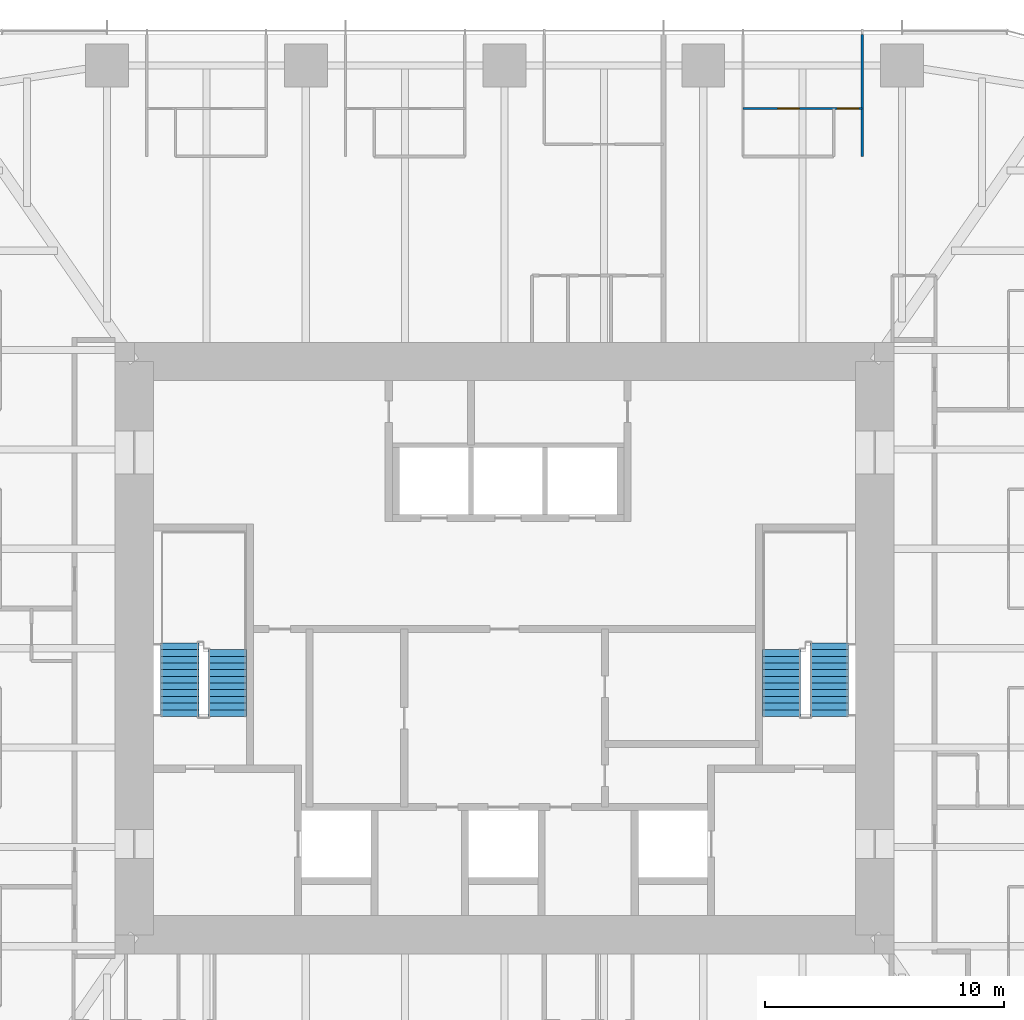
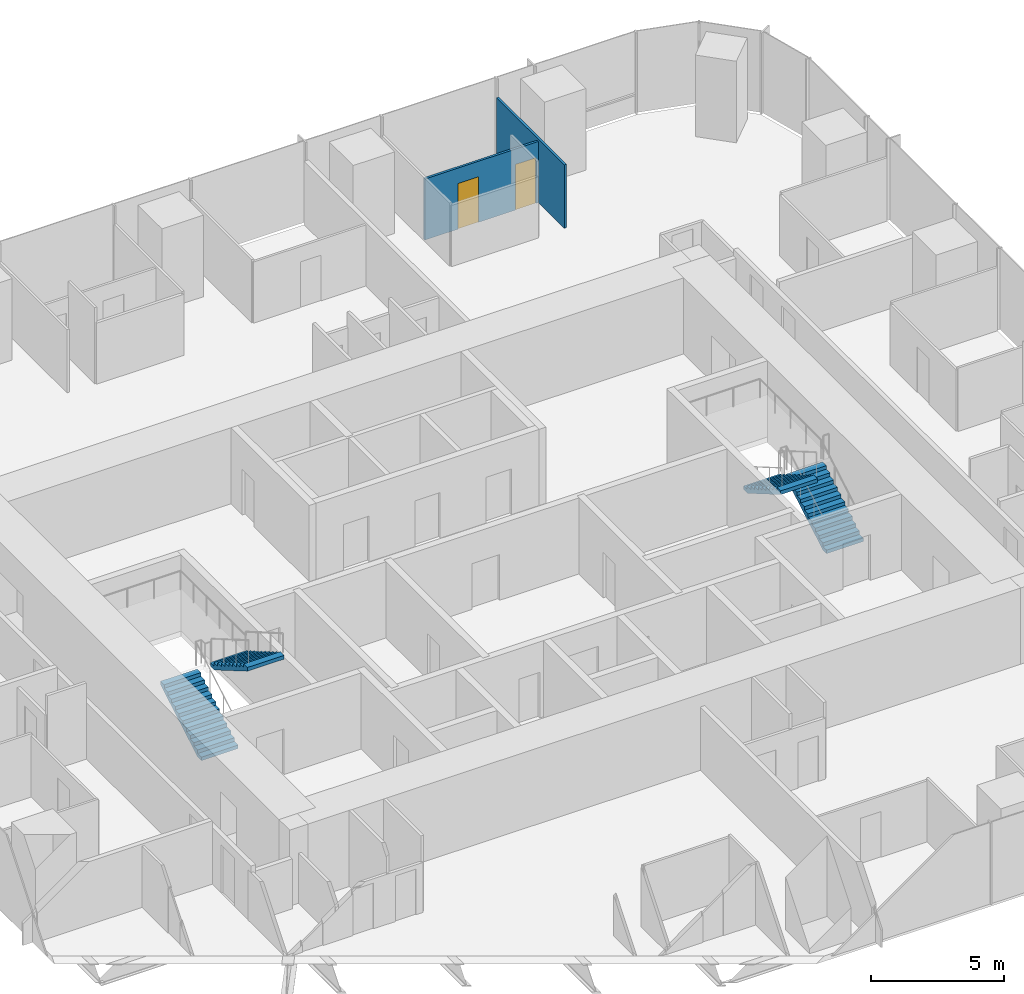
# One storey, part 12 of 13: 4 stair flights, 2 doors, 2 walls, 2 openings, 2 elements without a shape of their own.
"""IFC4 building model written with IfcOpenShell, lengths in metres."""

from ifc_helpers import new_model, si_unit, direction, frame, frame_2d, origin, place, context, subcontext, project, spatial, polyline, rectangle, outline, extrude, material, layer, layer_set, type_object, element, fill, aggregate, save


model = new_model("IFC4")

# Units and contexts
model_context = context("Model", 3, precision=1e-05, world=origin(), true_north=direction((0.0, 1.0)))
body_context = subcontext(model_context, "Body", "Model", "MODEL_VIEW")
ifc_project = project(units=[si_unit("LENGTHUNIT", "METRE"), si_unit("AREAUNIT", "SQUARE_METRE"), si_unit("VOLUMEUNIT", "CUBIC_METRE"), si_unit("PLANEANGLEUNIT", "RADIAN"), si_unit("MASSUNIT", "GRAM", prefix="KILO")], contexts=[model_context])

# Site, building, storey
site_placement = place(None, origin())
site = spatial("IfcSite", under=ifc_project, at=site_placement, CompositionType="ELEMENT")
building_placement = place(site_placement, origin())
building = spatial("IfcBuilding", under=site, at=building_placement, Name="Khuree Lantern Residences", CompositionType="ELEMENT")
storey_placement = place(building_placement, frame((0.0, 0.0, 252.0)))
storey = spatial("IfcBuildingStorey", under=building, at=storey_placement, Name="L63", CompositionType="ELEMENT", Elevation=252.0)

# Wall
ifc_material_1 = material(Name="Gypsum board on steel studs", Category="steel")
ifc_layer = layer(ifc_material_1, 0.10009765625)
ifc_layer_set = layer_set([ifc_layer], Name="PARTITION PT100")
wall_type = type_object("IfcWallType", Name="PARTITION PT100", PredefinedType="PARTITIONING", material=ifc_layer_set)
wall_1_placement = place(storey_placement, frame((14.97607421875, 20.594970703125, 0.0), z_axis=(0.0, 0.0, 1.0), x_axis=(0.0, 1.0, 0.0)))
element("IfcWall", 1, at=wall_1_placement, inside=storey, type_object=wall_type, Name="L63 PARTITION 02", PredefinedType="PARTITIONING", context=body_context, shape_type="SweptSolid", body=[
    extrude(rectangle(XDim=5.10498046875, YDim=0.10009765625, at=frame_2d((2.552490234375, 0.0))), origin(), (0.0, 0.0, 1.0), 2.909912109375),
])

# Wall, openings, doors
wall_2_placement = place(storey_placement, frame((14.97607421875, 22.594970703125, 0.0), z_axis=(0.0, 0.0, 1.0), x_axis=(-1.0, 0.0, 0.0)))
wall_2 = element("IfcWall", 2, at=wall_2_placement, inside=storey, type_object=wall_type, Name="L63 PARTITION 02", PredefinedType="PARTITIONING", context=body_context, shape_type="SweptSolid", body=[
    extrude(rectangle(XDim=4.9921875, YDim=0.10009765625, at=frame_2d((2.49609375, 0.0))), origin(), (0.0, 0.0, 1.0), 2.81005859375),
])
opening_1_placement = place(wall_2_placement, frame((0.14990234375, 0.0, 0.0)))
opening_1 = element("IfcOpeningElement", 3, at=opening_1_placement, cuts=wall_2, Name="Opening 63-027", PredefinedType="OPENING", context=body_context, shape_type="SweptSolid", body=[
    extrude(rectangle(XDim=0.89990234375, YDim=2.10009765625, at=frame_2d((0.449951171875, 1.050048828125))), frame((0.0, 0.06005859375, 0.0), z_axis=(0.0, -1.0, 0.0), x_axis=(1.0, 0.0, 0.0)), (0.0, 0.0, 1.0), 0.1201171875),
])
opening_2_placement = place(wall_2_placement, frame((2.64599609375, 0.0, 0.0)))
opening_2 = element("IfcOpeningElement", 4, at=opening_2_placement, cuts=wall_2, Name="Opening 63-028", PredefinedType="OPENING", context=body_context, shape_type="SweptSolid", body=[
    extrude(rectangle(XDim=0.89990234375, YDim=2.10009765625, at=frame_2d((0.449951171875, 1.050048828125))), frame((0.0, 0.06005859375, 0.0), z_axis=(0.0, -1.0, 0.0), x_axis=(1.0, 0.0, 0.0)), (0.0, 0.0, 1.0), 0.1201171875),
])
ifc_material_2 = material(Name="Timber door leaf in hardwood frame", Category="wood")
door_type_1 = type_object("IfcDoorType", Name="BATHROOM DOOR 900X2100", OperationType="SINGLE_SWING_LEFT", PredefinedType="DOOR", material=ifc_material_2)
door_1_placement = place(opening_2_placement, origin())
door_1 = element("IfcDoor", 5, at=door_1_placement, inside=storey, type_object=door_type_1, Name="Bathroom door 63-028", OperationType="SINGLE_SWING_LEFT", OverallHeight=2.10009765625, OverallWidth=0.89990234375, PredefinedType="DOOR", context=body_context, shape_type="SweptSolid", body=[
    extrude(rectangle(XDim=0.89990234375, YDim=2.10009765625, at=frame_2d((0.449951171875, 1.050048828125))), frame((0.0, 0.02490234375, 0.0), z_axis=(0.0, -1.0, 0.0), x_axis=(1.0, 0.0, 0.0)), (0.0, 0.0, 1.0), 0.050048828125),
])
fill(opening_2, door_1)
door_type_2 = type_object("IfcDoorType", Name="BEDROOM DOOR 900X2100", OperationType="SINGLE_SWING_LEFT", PredefinedType="DOOR", material=ifc_material_2)
door_2_placement = place(opening_1_placement, origin())
door_2 = element("IfcDoor", 6, at=door_2_placement, inside=storey, type_object=door_type_2, Name="Bedroom door 63-027", OperationType="SINGLE_SWING_LEFT", OverallHeight=2.10009765625, OverallWidth=0.89990234375, PredefinedType="DOOR", context=body_context, shape_type="SweptSolid", body=[
    extrude(rectangle(XDim=0.89990234375, YDim=2.10009765625, at=frame_2d((0.449951171875, 1.050048828125))), frame((0.0, 0.02490234375, 0.0), z_axis=(0.0, -1.0, 0.0), x_axis=(1.0, 0.0, 0.0)), (0.0, 0.0, 1.0), 0.050048828125),
])
fill(opening_1, door_2)

# Stair, stair flights
ifc_material_3 = material(Name="Concrete C40/50", Category="concrete")
stair_type = type_object("IfcStairType", Name="STAIR ST1 HALF TURN 3600", PredefinedType="HALF_TURN_STAIR", material=ifc_material_3)
stair_1_placement = place(storey_placement, origin())
stair_1 = element("IfcStair", 7, at=stair_1_placement, inside=storey, type_object=stair_type, Name="Stair ST1", PredefinedType="HALF_TURN_STAIR")
stair_flight_type = type_object("IfcStairFlightType", Name="STAIR FLIGHT SF1 1600", PredefinedType="STRAIGHT", material=ifc_material_3)
stair_flight_1_placement = place(storey_placement, frame((-13.60009765625, -2.860107421875, 0.0), z_axis=(0.0, 0.0, 1.0), x_axis=(0.0, 1.0, 0.0)))
stair_flight_1 = element("IfcStairFlight", 8, at=stair_flight_1_placement, type_object=stair_flight_type, Name="ST1 flight 1", NumberOfRisers=12, NumberOfTreads=11, PredefinedType="STRAIGHT", RiserHeight=0.163043478, TreadLength=0.28, context=body_context, shape_type="SweptSolid", body=[
    extrude(outline(polyline([(0.0, 0.0), (0.0, 0.1630859375), (0.280029296875, 0.1630859375), (0.280029296875, 0.326171875), (0.56005859375, 0.326171875), (0.56005859375, 0.489013671875), (0.840087890625, 0.489013671875), (0.840087890625, 0.652099609375), (1.1201171875, 0.652099609375), (1.1201171875, 0.815185546875), (1.39990234375, 0.815185546875), (1.39990234375, 0.978271484375), (1.679931640625, 0.978271484375), (1.679931640625, 1.141357421875), (1.9599609375, 1.141357421875), (1.9599609375, 1.304443359375), (2.239990234375, 1.304443359375), (2.239990234375, 1.46728515625), (2.52001953125, 1.46728515625), (2.52001953125, 1.63037109375), (2.800048828125, 1.63037109375), (2.800048828125, 1.79345703125), (3.080078125, 1.79345703125), (3.080078125, 1.95654296875), (3.080078125, 1.6201171875), (0.2978515625, 0.0), (0.0, 0.0)])), frame((0.0, 0.800048828125, 0.0), z_axis=(0.0, -1.0, 0.0), x_axis=(1.0, 0.0, 0.0)), (0.0, 0.0, 1.0), 1.60009765625),
])
stair_flight_2_placement = place(storey_placement, frame((-11.60009765625, -0.06005859375, 1.95654296875), z_axis=(0.0, 0.0, 1.0), x_axis=(0.0, -1.0, 0.0)))
stair_flight_2 = element("IfcStairFlight", 9, at=stair_flight_2_placement, type_object=stair_flight_type, Name="ST1 flight 2", NumberOfRisers=11, NumberOfTreads=10, PredefinedType="STRAIGHT", RiserHeight=0.163043478, TreadLength=0.28, context=body_context, shape_type="SweptSolid", body=[
    extrude(outline(polyline([(0.0, 0.0), (0.0, 0.1630859375), (0.280029296875, 0.1630859375), (0.280029296875, 0.326171875), (0.56005859375, 0.326171875), (0.56005859375, 0.489013671875), (0.840087890625, 0.489013671875), (0.840087890625, 0.652099609375), (1.1201171875, 0.652099609375), (1.1201171875, 0.815185546875), (1.39990234375, 0.815185546875), (1.39990234375, 0.978271484375), (1.679931640625, 0.978271484375), (1.679931640625, 1.141357421875), (1.9599609375, 1.141357421875), (1.9599609375, 1.304443359375), (2.239990234375, 1.304443359375), (2.239990234375, 1.46728515625), (2.52001953125, 1.46728515625), (2.52001953125, 1.63037109375), (2.800048828125, 1.63037109375), (2.800048828125, 1.79345703125), (2.800048828125, 1.45703125), (0.2978515625, 0.0), (0.0, 0.0)])), frame((0.0, 0.800048828125, 0.0), z_axis=(0.0, -1.0, 0.0), x_axis=(1.0, 0.0, 0.0)), (0.0, 0.0, 1.0), 1.60009765625),
])
aggregate(stair_1, [stair_flight_1, stair_flight_2])

stair_2_placement = place(storey_placement, origin())
stair_2 = element("IfcStair", 10, at=stair_2_placement, inside=storey, type_object=stair_type, Name="Stair ST2", PredefinedType="HALF_TURN_STAIR")
stair_flight_3_placement = place(storey_placement, frame((13.60009765625, -2.860107421875, 0.0), z_axis=(0.0, 0.0, 1.0), x_axis=(0.0, 1.0, 0.0)))
stair_flight_3 = element("IfcStairFlight", 11, at=stair_flight_3_placement, type_object=stair_flight_type, Name="ST2 flight 1", NumberOfRisers=12, NumberOfTreads=11, PredefinedType="STRAIGHT", RiserHeight=0.163043478, TreadLength=0.28, context=body_context, shape_type="SweptSolid", body=[
    extrude(outline(polyline([(0.0, 0.0), (0.0, 0.1630859375), (0.280029296875, 0.1630859375), (0.280029296875, 0.326171875), (0.56005859375, 0.326171875), (0.56005859375, 0.489013671875), (0.840087890625, 0.489013671875), (0.840087890625, 0.652099609375), (1.1201171875, 0.652099609375), (1.1201171875, 0.815185546875), (1.39990234375, 0.815185546875), (1.39990234375, 0.978271484375), (1.679931640625, 0.978271484375), (1.679931640625, 1.141357421875), (1.9599609375, 1.141357421875), (1.9599609375, 1.304443359375), (2.239990234375, 1.304443359375), (2.239990234375, 1.46728515625), (2.52001953125, 1.46728515625), (2.52001953125, 1.63037109375), (2.800048828125, 1.63037109375), (2.800048828125, 1.79345703125), (3.080078125, 1.79345703125), (3.080078125, 1.95654296875), (3.080078125, 1.6201171875), (0.2978515625, 0.0), (0.0, 0.0)])), frame((0.0, 0.800048828125, 0.0), z_axis=(0.0, -1.0, 0.0), x_axis=(1.0, 0.0, 0.0)), (0.0, 0.0, 1.0), 1.60009765625),
])
stair_flight_4_placement = place(storey_placement, frame((11.60009765625, -0.06005859375, 1.95654296875), z_axis=(0.0, 0.0, 1.0), x_axis=(0.0, -1.0, 0.0)))
stair_flight_4 = element("IfcStairFlight", 12, at=stair_flight_4_placement, type_object=stair_flight_type, Name="ST2 flight 2", NumberOfRisers=11, NumberOfTreads=10, PredefinedType="STRAIGHT", RiserHeight=0.163043478, TreadLength=0.28, context=body_context, shape_type="SweptSolid", body=[
    extrude(outline(polyline([(0.0, 0.0), (0.0, 0.1630859375), (0.280029296875, 0.1630859375), (0.280029296875, 0.326171875), (0.56005859375, 0.326171875), (0.56005859375, 0.489013671875), (0.840087890625, 0.489013671875), (0.840087890625, 0.652099609375), (1.1201171875, 0.652099609375), (1.1201171875, 0.815185546875), (1.39990234375, 0.815185546875), (1.39990234375, 0.978271484375), (1.679931640625, 0.978271484375), (1.679931640625, 1.141357421875), (1.9599609375, 1.141357421875), (1.9599609375, 1.304443359375), (2.239990234375, 1.304443359375), (2.239990234375, 1.46728515625), (2.52001953125, 1.46728515625), (2.52001953125, 1.63037109375), (2.800048828125, 1.63037109375), (2.800048828125, 1.79345703125), (2.800048828125, 1.45703125), (0.2978515625, 0.0), (0.0, 0.0)])), frame((0.0, 0.800048828125, 0.0), z_axis=(0.0, -1.0, 0.0), x_axis=(1.0, 0.0, 0.0)), (0.0, 0.0, 1.0), 1.60009765625),
])
aggregate(stair_2, [stair_flight_3, stair_flight_4])

save(model, "model.ifc")
